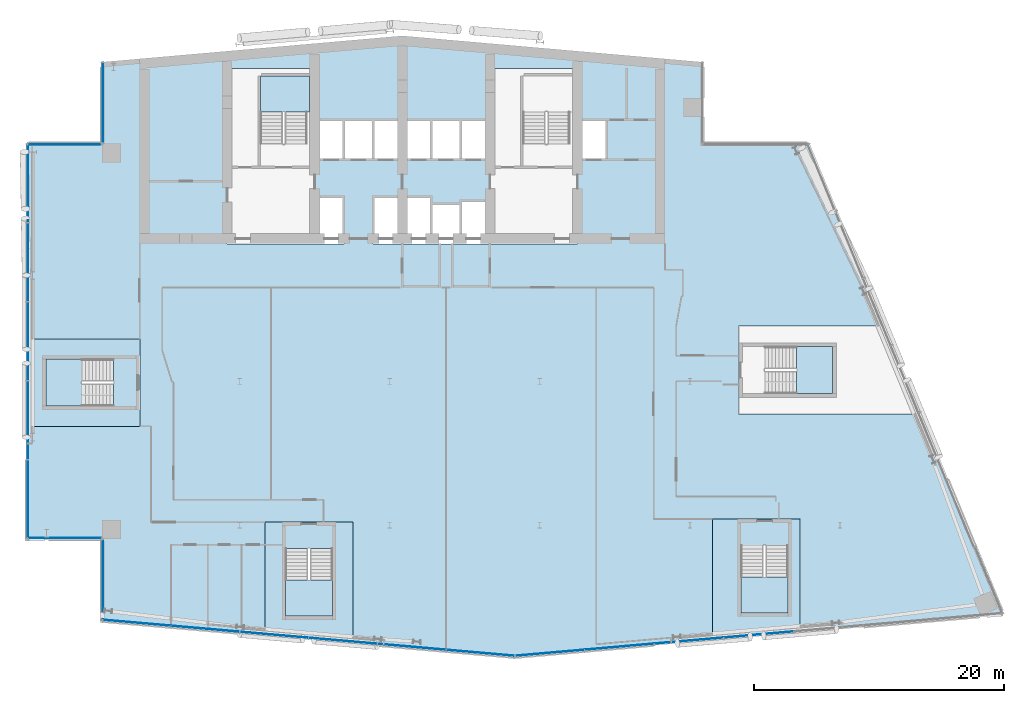
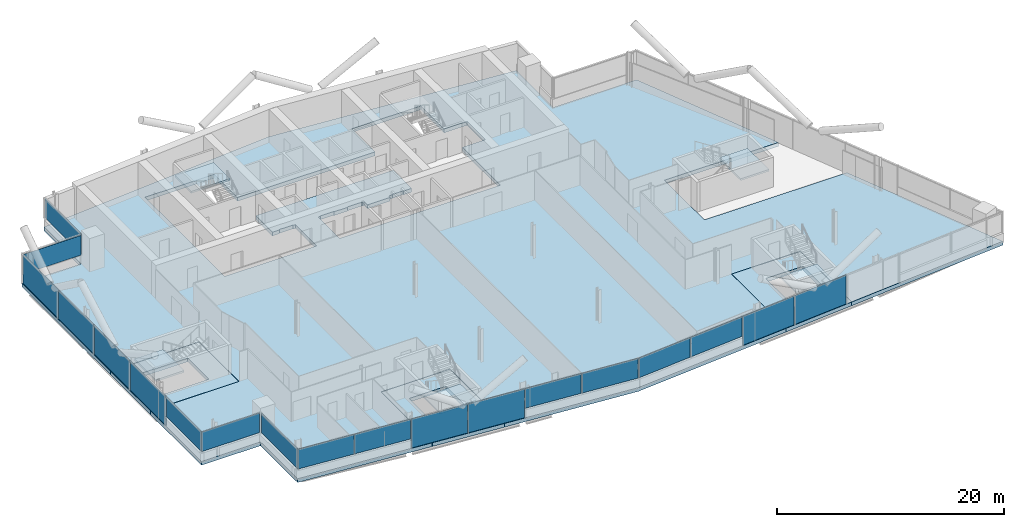
# One storey, part 12 of 26: 19 plates, 9 slabs, 12 elements without a shape of their own.
"""IFC4 building model written with IfcOpenShell, lengths in metres."""

from ifc_helpers import new_model, si_unit, direction, frame, origin, origin_2d, place, context, subcontext, project, spatial, polyline, rectangle, outline, extrude, material, layer, layer_set, type_object, element, aggregate, save


model = new_model("IFC4")

# Units and contexts
model_context = context("Model", 3, precision=1e-05, world=origin(), true_north=direction((0.0, 1.0)))
body_context = subcontext(model_context, "Body", "Model", "MODEL_VIEW")
ifc_project = project(units=[si_unit("LENGTHUNIT", "METRE"), si_unit("AREAUNIT", "SQUARE_METRE"), si_unit("VOLUMEUNIT", "CUBIC_METRE"), si_unit("PLANEANGLEUNIT", "RADIAN"), si_unit("MASSUNIT", "GRAM", prefix="KILO")], contexts=[model_context])

# Site, building, storey
site_placement = place(None, origin())
site = spatial("IfcSite", under=ifc_project, at=site_placement, CompositionType="ELEMENT")
building_placement = place(site_placement, origin())
building = spatial("IfcBuilding", under=site, at=building_placement, Name="Wharfspan Tower", CompositionType="ELEMENT")
storey_placement = place(building_placement, frame((0.0, 0.0, 180.699951)))
storey = spatial("IfcBuildingStorey", under=building, at=storey_placement, Name="L44", CompositionType="ELEMENT", Elevation=180.699951)

# Curtain wall, plates
ifc_material_1 = material(Name="Aluminium 6063-T6", Category="aluminium")
curtain_wall_type_1 = type_object("IfcCurtainWallType", Name="CURTAIN WALL FACETED FRONT", PredefinedType="NOTDEFINED", material=ifc_material_1)
curtain_wall_1_placement = place(storey_placement, origin())
curtain_wall_1 = element("IfcCurtainWall", 1, at=curtain_wall_1_placement, inside=storey, type_object=curtain_wall_type_1, Name="Curtain wall S1", PredefinedType="NOTDEFINED")
ifc_material_2 = material(Name="Glass clear low-iron double glazing", Category="glass")
ifc_layer_1 = layer(ifc_material_2, 0.040039)
ifc_layer_set_1 = layer_set([ifc_layer_1], Name="Glass clear low-iron double glazing")
plate_type_1 = type_object("IfcPlateType", Name="GLASS PANEL FACETED FRONT 40", PredefinedType="CURTAIN_PANEL", material=ifc_layer_set_1)
plate_1_placement = place(storey_placement, frame((15.770264, 3.692871, 1.0), z_axis=(0.0, 0.0, 1.0), x_axis=(0.996198, -0.087156, 0.0)))
plate_1 = element("IfcPlate", 2, at=plate_1_placement, type_object=plate_type_1, Name="Curtain wall S1 panel 1", PredefinedType="CURTAIN_PANEL", context=body_context, shape_type="SweptSolid", body=[
    extrude(rectangle(XDim=5.430908, YDim=0.040039, at=origin_2d()), origin(), (0.0, 0.0, 1.0), 2.120117),
])
plate_2_placement = place(storey_placement, frame((21.255127, 3.213135, 1.0), z_axis=(0.0, 0.0, 1.0), x_axis=(0.996198, -0.087156, 0.0)))
plate_2 = element("IfcPlate", 3, at=plate_2_placement, type_object=plate_type_1, Name="Curtain wall S1 panel 2", PredefinedType="CURTAIN_PANEL", context=body_context, shape_type="SweptSolid", body=[
    extrude(rectangle(XDim=5.460938, YDim=0.040039, at=origin_2d()), origin(), (0.0, 0.0, 1.0), 2.120117),
])
plate_3_placement = place(storey_placement, frame((37.755127, 1.769531, 1.0), z_axis=(0.0, 0.0, 1.0), x_axis=(0.996198, -0.087156, 0.0)))
plate_3 = element("IfcPlate", 4, at=plate_3_placement, type_object=plate_type_1, Name="Curtain wall S1 panel 5", PredefinedType="CURTAIN_PANEL", context=body_context, shape_type="SweptSolid", body=[
    extrude(rectangle(XDim=5.460938, YDim=0.040039, at=origin_2d()), origin(), (0.0, 0.0, 1.0), 2.120117),
])
plate_4_placement = place(storey_placement, frame((43.240234, 1.289551, 1.0), z_axis=(0.0, 0.0, 1.0), x_axis=(0.996198, -0.087156, 0.0)))
plate_4 = element("IfcPlate", 5, at=plate_4_placement, type_object=plate_type_1, Name="Curtain wall S1 panel 6", PredefinedType="CURTAIN_PANEL", context=body_context, shape_type="SweptSolid", body=[
    extrude(rectangle(XDim=5.430908, YDim=0.040039, at=origin_2d()), origin(), (0.0, 0.0, 1.0), 2.120117),
])

curtain_wall_2_placement = place(storey_placement, origin())
curtain_wall_2 = element("IfcCurtainWall", 6, at=curtain_wall_2_placement, inside=storey, type_object=curtain_wall_type_1, Name="Curtain wall S2", PredefinedType="NOTDEFINED")
plate_5_placement = place(storey_placement, frame((48.79541, 1.292725, 1.0), z_axis=(0.0, 0.0, 1.0), x_axis=(0.996198, 0.087156, 0.0)))
plate_5 = element("IfcPlate", 7, at=plate_5_placement, type_object=plate_type_1, Name="Curtain wall S2 panel 1", PredefinedType="CURTAIN_PANEL", context=body_context, shape_type="SweptSolid", body=[
    extrude(rectangle(XDim=5.502686, YDim=0.040039, at=origin_2d()), origin(), (0.0, 0.0, 1.0), 2.120117),
])
plate_6_placement = place(storey_placement, frame((54.351807, 1.778809, 1.0), z_axis=(0.0, 0.0, 1.0), x_axis=(0.996198, 0.087156, 0.0)))
plate_6 = element("IfcPlate", 8, at=plate_6_placement, type_object=plate_type_1, Name="Curtain wall S2 panel 2", PredefinedType="CURTAIN_PANEL", context=body_context, shape_type="SweptSolid", body=[
    extrude(rectangle(XDim=5.532715, YDim=0.040039, at=origin_2d()), origin(), (0.0, 0.0, 1.0), 2.120117),
])

# Curtain wall, plate
curtain_wall_type_2 = type_object("IfcCurtainWallType", Name="CURTAIN WALL PROW AND END", PredefinedType="NOTDEFINED", material=ifc_material_1)
curtain_wall_3_placement = place(storey_placement, origin())
curtain_wall_3 = element("IfcCurtainWall", 9, at=curtain_wall_3_placement, inside=storey, type_object=curtain_wall_type_2, Name="Curtain wall NRW-V", PredefinedType="NOTDEFINED")
ifc_layer_2 = layer(ifc_material_2, 0.040039)
ifc_layer_set_2 = layer_set([ifc_layer_2], Name="Glass clear low-iron double glazing")
plate_type_2 = type_object("IfcPlateType", Name="GLASS PANEL PROW AND END 40", PredefinedType="CURTAIN_PANEL", material=ifc_layer_set_2)
plate_7_placement = place(storey_placement, frame((13.080078, 45.262451, 1.0), z_axis=(0.0, 0.0, 1.0), x_axis=(0.0, -1.0, 0.0)))
plate_7 = element("IfcPlate", 10, at=plate_7_placement, type_object=plate_type_2, Name="Curtain wall NRW-V panel 1", PredefinedType="CURTAIN_PANEL", context=body_context, shape_type="SweptSolid", body=[
    extrude(rectangle(XDim=6.405029, YDim=0.040039, at=origin_2d()), origin(), (0.0, 0.0, 1.0), 2.120117),
])
aggregate(curtain_wall_3, [plate_7])

curtain_wall_4_placement = place(storey_placement, origin())
curtain_wall_4 = element("IfcCurtainWall", 11, at=curtain_wall_4_placement, inside=storey, type_object=curtain_wall_type_2, Name="Curtain wall NRW-H", PredefinedType="NOTDEFINED")
plate_8_placement = place(storey_placement, frame((10.0, 41.919922, 1.0), z_axis=(0.0, 0.0, 1.0), x_axis=(-1.0, 0.0, 0.0)))
plate_8 = element("IfcPlate", 12, at=plate_8_placement, type_object=plate_type_2, Name="Curtain wall NRW-H panel 1", PredefinedType="CURTAIN_PANEL", context=body_context, shape_type="SweptSolid", body=[
    extrude(rectangle(XDim=5.879883, YDim=0.040039, at=origin_2d()), origin(), (0.0, 0.0, 1.0), 2.120117),
])
aggregate(curtain_wall_4, [plate_8])

curtain_wall_5_placement = place(storey_placement, origin())
curtain_wall_5 = element("IfcCurtainWall", 13, at=curtain_wall_5_placement, inside=storey, type_object=curtain_wall_type_2, Name="Curtain wall W", PredefinedType="NOTDEFINED")
plate_9_placement = place(storey_placement, frame((7.080078, 13.574951, 1.0), z_axis=(0.0, 0.0, 1.0), x_axis=(0.0, -1.0, 0.0)))
plate_9 = element("IfcPlate", 14, at=plate_9_placement, type_object=plate_type_2, Name="Curtain wall W panel 5", PredefinedType="CURTAIN_PANEL", context=body_context, shape_type="SweptSolid", body=[
    extrude(rectangle(XDim=6.22998, YDim=0.040039, at=origin_2d()), origin(), (0.0, 0.0, 1.0), 2.120117),
])

curtain_wall_6_placement = place(storey_placement, origin())
curtain_wall_6 = element("IfcCurtainWall", 15, at=curtain_wall_6_placement, inside=storey, type_object=curtain_wall_type_2, Name="Curtain wall NFW-H", PredefinedType="NOTDEFINED")
plate_10_placement = place(storey_placement, frame((10.0, 10.47998, 1.0), z_axis=(0.0, 0.0, 1.0), x_axis=(1.0, 0.0, 0.0)))
plate_10 = element("IfcPlate", 16, at=plate_10_placement, type_object=plate_type_2, Name="Curtain wall NFW-H panel 1", PredefinedType="CURTAIN_PANEL", context=body_context, shape_type="SweptSolid", body=[
    extrude(rectangle(XDim=5.879883, YDim=0.040039, at=origin_2d()), origin(), (0.0, 0.0, 1.0), 2.120117),
])
aggregate(curtain_wall_6, [plate_10])

curtain_wall_7_placement = place(storey_placement, origin())
curtain_wall_7 = element("IfcCurtainWall", 17, at=curtain_wall_7_placement, inside=storey, type_object=curtain_wall_type_2, Name="Curtain wall NFW-V", PredefinedType="NOTDEFINED")
plate_11_placement = place(storey_placement, frame((13.080078, 7.137451, 1.0), z_axis=(0.0, 0.0, 1.0), x_axis=(0.0, -1.0, 0.0)))
plate_11 = element("IfcPlate", 18, at=plate_11_placement, type_object=plate_type_2, Name="Curtain wall NFW-V panel 1", PredefinedType="CURTAIN_PANEL", context=body_context, shape_type="SweptSolid", body=[
    extrude(rectangle(XDim=6.405029, YDim=0.040039, at=origin_2d()), origin(), (0.0, 0.0, 1.0), 2.120117),
])
aggregate(curtain_wall_7, [plate_11])

# Plate
ifc_material_3 = material(Name="Aluminium composite opaque insulated panel", Category="aluminium")
ifc_layer_3 = layer(ifc_material_3, 0.040039)
ifc_layer_set_3 = layer_set([ifc_layer_3], Name="Aluminium composite opaque insulated panel")
plate_type_3 = type_object("IfcPlateType", Name="INFILL PANEL FACETED FRONT OPAQUE 40", PredefinedType="SHEET", material=ifc_layer_set_3)
plate_12_placement = place(storey_placement, frame((26.755127, 2.731934, 0.0), z_axis=(0.0, 0.0, 1.0), x_axis=(0.996198, -0.087156, 0.0)))
plate_12 = element("IfcPlate", 19, at=plate_12_placement, type_object=plate_type_3, Name="Curtain wall S1 panel 3", PredefinedType="SHEET", context=body_context, shape_type="SweptSolid", body=[
    extrude(rectangle(XDim=5.460938, YDim=0.040039, at=origin_2d()), origin(), (0.0, 0.0, 1.0), 3.120117),
])

plate_13_placement = place(storey_placement, frame((32.255127, 2.250732, 0.0), z_axis=(0.0, 0.0, 1.0), x_axis=(0.996198, -0.087156, 0.0)))
plate_13 = element("IfcPlate", 20, at=plate_13_placement, type_object=plate_type_3, Name="Curtain wall S1 panel 4", PredefinedType="SHEET", context=body_context, shape_type="SweptSolid", body=[
    extrude(rectangle(XDim=5.460938, YDim=0.040039, at=origin_2d()), origin(), (0.0, 0.0, 1.0), 3.120117),
])

aggregate(curtain_wall_1, [plate_1, plate_2, plate_12, plate_13, plate_3, plate_4])

plate_14_placement = place(storey_placement, frame((59.92334, 2.266357, 0.0), z_axis=(0.0, 0.0, 1.0), x_axis=(0.996198, 0.087156, 0.0)))
plate_14 = element("IfcPlate", 21, at=plate_14_placement, type_object=plate_type_3, Name="Curtain wall S2 panel 3", PredefinedType="SHEET", context=body_context, shape_type="SweptSolid", body=[
    extrude(rectangle(XDim=5.532715, YDim=0.040039, at=origin_2d()), origin(), (0.0, 0.0, 1.0), 3.120117),
])

plate_15_placement = place(storey_placement, frame((65.494873, 2.753662, 0.0), z_axis=(0.0, 0.0, 1.0), x_axis=(0.996198, 0.087156, 0.0)))
plate_15 = element("IfcPlate", 22, at=plate_15_placement, type_object=plate_type_3, Name="Curtain wall S2 panel 4", PredefinedType="SHEET", context=body_context, shape_type="SweptSolid", body=[
    extrude(rectangle(XDim=5.532715, YDim=0.040039, at=origin_2d()), origin(), (0.0, 0.0, 1.0), 3.120117),
])

aggregate(curtain_wall_2, [plate_5, plate_6, plate_14, plate_15])

ifc_layer_4 = layer(ifc_material_3, 0.040039)
ifc_layer_set_4 = layer_set([ifc_layer_4], Name="Aluminium composite opaque insulated panel")
plate_type_4 = type_object("IfcPlateType", Name="INFILL PANEL PROW AND END OPAQUE 40", PredefinedType="SHEET", material=ifc_layer_set_4)
plate_16_placement = place(storey_placement, frame((7.080078, 38.824951, 0.0), z_axis=(0.0, 0.0, 1.0), x_axis=(0.0, -1.0, 0.0)))
plate_16 = element("IfcPlate", 23, at=plate_16_placement, type_object=plate_type_4, Name="Curtain wall W panel 1", PredefinedType="SHEET", context=body_context, shape_type="SweptSolid", body=[
    extrude(rectangle(XDim=6.22998, YDim=0.040039, at=origin_2d()), origin(), (0.0, 0.0, 1.0), 3.120117),
])

plate_17_placement = place(storey_placement, frame((7.080078, 32.52002, 0.0), z_axis=(0.0, 0.0, 1.0), x_axis=(0.0, -1.0, 0.0)))
plate_17 = element("IfcPlate", 24, at=plate_17_placement, type_object=plate_type_4, Name="Curtain wall W panel 2", PredefinedType="SHEET", context=body_context, shape_type="SweptSolid", body=[
    extrude(rectangle(XDim=6.26001, YDim=0.040039, at=origin_2d()), origin(), (0.0, 0.0, 1.0), 3.120117),
])

plate_18_placement = place(storey_placement, frame((7.080078, 26.199951, 0.0), z_axis=(0.0, 0.0, 1.0), x_axis=(0.0, -1.0, 0.0)))
plate_18 = element("IfcPlate", 25, at=plate_18_placement, type_object=plate_type_4, Name="Curtain wall W panel 3", PredefinedType="SHEET", context=body_context, shape_type="SweptSolid", body=[
    extrude(rectangle(XDim=6.26001, YDim=0.040039, at=origin_2d()), origin(), (0.0, 0.0, 1.0), 3.120117),
])

plate_19_placement = place(storey_placement, frame((7.080078, 19.879883, 0.0), z_axis=(0.0, 0.0, 1.0), x_axis=(0.0, -1.0, 0.0)))
plate_19 = element("IfcPlate", 26, at=plate_19_placement, type_object=plate_type_4, Name="Curtain wall W panel 4", PredefinedType="SHEET", context=body_context, shape_type="SweptSolid", body=[
    extrude(rectangle(XDim=6.26001, YDim=0.040039, at=origin_2d()), origin(), (0.0, 0.0, 1.0), 3.120117),
])

aggregate(curtain_wall_5, [plate_16, plate_17, plate_18, plate_19, plate_9])

# Slabs
ifc_material_4 = material(Name="Concrete C40/50", Category="concrete")
ifc_layer_5 = layer(ifc_material_4, 0.399902)
ifc_layer_set_5 = layer_set([ifc_layer_5], Name="Concrete C40/50")
slab_type_1 = type_object("IfcSlabType", Name="Post-tensioned flat slab 400", PredefinedType="FLOOR", material=ifc_layer_set_5)
slab_1_placement = place(storey_placement, frame((0.0, 0.0, -0.400146)))
element("IfcSlab", 27, at=slab_1_placement, inside=storey, type_object=slab_type_1, Name="Floor slab L44", PredefinedType="FLOOR", context=body_context, shape_type="SweptSolid", body=[
    extrude(outline(polyline([(26.029297, 2.735107), (26.029297, 11.744385), (33.049316, 11.744385), (33.049316, 2.121094), (46.0, 0.987793), (61.801514, 2.370361), (61.801514, 11.993652), (68.821289, 11.993652), (68.821289, 2.984619), (85.0, 4.399902), (78.398682, 20.389893), (63.894531, 20.389893), (63.894531, 27.409912), (75.500488, 27.409912), (69.477051, 42.0), (61.0, 42.0), (61.0, 48.524902), (37.0, 50.624756), (13.0, 48.524902), (13.0, 42.0), (7.0, 42.0), (7.0, 26.409912), (16.01001, 26.409912), (16.01001, 19.389893), (7.0, 19.389893), (7.0, 10.399902), (13.0, 10.399902), (13.0, 3.875), (26.029297, 2.735107)]), holes=[polyline([(32.126709, 37.76001), (32.343262, 37.76001), (32.343262, 33.98999), (22.98999, 33.98999), (22.98999, 48.01001), (30.01001, 48.01001), (30.01001, 43.909912), (43.98999, 43.909912), (43.98999, 48.01001), (51.01001, 48.01001), (51.01001, 43.909912), (53.343262, 43.909912), (53.343262, 40.689941), (51.01001, 40.689941), (51.01001, 33.98999), (34.656738, 33.98999), (34.656738, 37.76001), (34.873291, 37.76001), (34.873291, 37.810059), (36.293213, 37.810059), (36.293213, 37.76001), (37.666748, 37.76001), (37.666748, 37.810059), (39.166748, 37.810059), (39.166748, 37.76001), (39.343262, 37.76001), (39.343262, 37.209961), (41.656738, 37.209961), (41.656738, 37.459961), (42.023193, 37.459961), (42.023193, 37.51001), (43.143311, 37.51001), (43.143311, 37.459961), (43.98999, 37.459961), (43.98999, 40.689941), (30.01001, 40.689941), (30.01001, 37.76001), (30.706787, 37.76001), (30.706787, 37.810059), (32.126709, 37.810059), (32.126709, 37.76001)])]), origin(), (0.0, 0.0, 1.0), 0.400146),
])
slab_2_placement = place(storey_placement, frame((0.0, 0.0, -0.400146)))
element("IfcSlab", 28, at=slab_2_placement, inside=storey, type_object=slab_type_1, Name="Core floor slab L44 part 1", PredefinedType="FLOOR", context=body_context, shape_type="SweptSolid", body=[
    extrude(outline(polyline([(16.0, 20.725098), (16.0, 25.074951), (16.0, 26.399902), (7.0, 26.399902), (7.0, 19.399902), (16.0, 19.399902), (16.0, 20.725098)]), holes=[polyline([(13.899902, 24.7771), (13.900146, 24.7771), (13.900391, 24.7771), (13.900635, 24.776855), (13.900879, 24.776855), (13.900879, 24.776855), (13.901123, 24.776611), (13.901367, 24.776611), (13.901367, 24.776367), (13.901611, 24.776367), (13.901611, 24.776123), (13.901855, 24.775879), (13.901855, 24.775879), (13.901855, 24.775635), (13.9021, 24.775391), (13.9021, 24.775146), (13.9021, 24.774902), (13.9021, 21.024902), (13.9021, 21.024902), (13.9021, 21.024658), (13.901855, 21.024414), (13.901855, 21.02417), (13.901855, 21.02417), (13.901611, 21.023926), (13.901611, 21.023682), (13.901367, 21.023682), (13.901367, 21.023438), (13.901123, 21.023193), (13.900879, 21.023193), (13.900879, 21.023193), (13.900635, 21.023193), (13.900391, 21.022949), (13.900146, 21.022949), (13.899902, 21.022949), (8.5, 21.022949), (8.499756, 21.022949), (8.499512, 21.022949), (8.499512, 21.023193), (8.499268, 21.023193), (8.499023, 21.023193), (8.498779, 21.023193), (8.498779, 21.023438), (8.498535, 21.023682), (8.498535, 21.023682), (8.498291, 21.023926), (8.498291, 21.02417), (8.498291, 21.02417), (8.498047, 21.024414), (8.498047, 21.024658), (8.498047, 21.024902), (8.498047, 21.024902), (8.498047, 24.774902), (8.498047, 24.775146), (8.498047, 24.775391), (8.498047, 24.775635), (8.498291, 24.775879), (8.498291, 24.775879), (8.498291, 24.776123), (8.498535, 24.776367), (8.498535, 24.776367), (8.498779, 24.776611), (8.498779, 24.776611), (8.499023, 24.776855), (8.499268, 24.776855), (8.499512, 24.776855), (8.499512, 24.7771), (8.499756, 24.7771), (8.5, 24.7771), (13.899902, 24.7771)])]), origin(), (0.0, 0.0, 1.0), 0.400146),
])
slab_3_placement = place(storey_placement, frame((0.0, 0.0, -0.400146)))
element("IfcSlab", 29, at=slab_3_placement, inside=storey, type_object=slab_type_1, Name="Core floor slab L44 part 2", PredefinedType="FLOOR", context=body_context, shape_type="SweptSolid", body=[
    extrude(outline(polyline([(31.714111, 11.734375), (27.364258, 11.734375), (26.039307, 11.734375), (26.039307, 2.734375), (33.039307, 2.121826), (33.039307, 11.734375), (31.714111, 11.734375)]), holes=[polyline([(27.662109, 9.634277), (27.662109, 9.634521), (27.662354, 9.634766), (27.662354, 9.63501), (27.662354, 9.63501), (27.662598, 9.635254), (27.662598, 9.635498), (27.662598, 9.635498), (27.662842, 9.635742), (27.663086, 9.635742), (27.663086, 9.635986), (27.66333, 9.635986), (27.663574, 9.635986), (27.663574, 9.63623), (27.663818, 9.63623), (27.664062, 9.63623), (27.664307, 9.63623), (31.414307, 9.63623), (31.414307, 9.63623), (31.414551, 9.63623), (31.414795, 9.63623), (31.415039, 9.635986), (31.415283, 9.635986), (31.415283, 9.635986), (31.415527, 9.635742), (31.415527, 9.635742), (31.415771, 9.635498), (31.416016, 9.635498), (31.416016, 9.635254), (31.416016, 9.63501), (31.416016, 9.63501), (31.41626, 9.634766), (31.41626, 9.634521), (31.41626, 9.634277), (31.41626, 4.234375), (31.41626, 4.234131), (31.41626, 4.233887), (31.416016, 4.233643), (31.416016, 4.233398), (31.416016, 4.233398), (31.416016, 4.233154), (31.415771, 4.23291), (31.415527, 4.23291), (31.415527, 4.232666), (31.415283, 4.232666), (31.415283, 4.232422), (31.415039, 4.232422), (31.414795, 4.232422), (31.414551, 4.232422), (31.414307, 4.232422), (31.414307, 4.232422), (27.664307, 4.232422), (27.664062, 4.232422), (27.663818, 4.232422), (27.663574, 4.232422), (27.663574, 4.232422), (27.66333, 4.232422), (27.663086, 4.232666), (27.663086, 4.232666), (27.662842, 4.23291), (27.662598, 4.23291), (27.662598, 4.233154), (27.662598, 4.233398), (27.662354, 4.233398), (27.662354, 4.233643), (27.662354, 4.233887), (27.662109, 4.234131), (27.662109, 4.234375), (27.662109, 9.634277)])]), origin(), (0.0, 0.0, 1.0), 0.400146),
])
slab_4_placement = place(storey_placement, frame((0.0, 0.0, -0.400146)))
element("IfcSlab", 30, at=slab_4_placement, inside=storey, type_object=slab_type_1, Name="Core floor slab L44 part 4", PredefinedType="FLOOR", context=body_context, shape_type="SweptSolid", body=[
    extrude(outline(polyline([(68.811279, 11.983643), (68.136475, 11.983643), (63.786377, 11.983643), (61.811279, 11.983643), (61.811279, 2.371338), (68.811279, 2.983643), (68.811279, 11.983643)]), holes=[polyline([(64.084473, 9.883789), (64.084473, 9.883789), (64.084473, 9.884033), (64.084473, 9.884277), (64.084473, 9.884521), (64.084717, 9.884521), (64.084717, 9.884766), (64.084717, 9.88501), (64.084961, 9.88501), (64.085205, 9.885254), (64.085205, 9.885254), (64.085449, 9.885498), (64.085693, 9.885498), (64.085693, 9.885498), (64.085938, 9.885498), (64.086182, 9.885742), (64.086426, 9.885742), (67.836426, 9.885742), (67.836426, 9.885742), (67.83667, 9.885498), (67.836914, 9.885498), (67.837158, 9.885498), (67.837402, 9.885498), (67.837402, 9.885254), (67.837646, 9.885254), (67.837891, 9.88501), (67.837891, 9.88501), (67.837891, 9.884766), (67.838135, 9.884521), (67.838135, 9.884521), (67.838379, 9.884277), (67.838379, 9.884033), (67.838379, 9.883789), (67.838379, 9.883789), (67.838379, 4.483643), (67.838379, 4.483398), (67.838379, 4.483398), (67.838379, 4.483154), (67.838135, 4.48291), (67.838135, 4.482666), (67.837891, 4.482666), (67.837891, 4.482422), (67.837891, 4.482422), (67.837646, 4.482178), (67.837402, 4.481934), (67.837402, 4.481934), (67.837158, 4.481689), (67.836914, 4.481689), (67.83667, 4.481689), (67.836426, 4.481689), (67.836426, 4.481689), (64.086426, 4.481689), (64.086182, 4.481689), (64.085938, 4.481689), (64.085693, 4.481689), (64.085693, 4.481689), (64.085449, 4.481934), (64.085205, 4.481934), (64.085205, 4.482178), (64.084961, 4.482422), (64.084717, 4.482422), (64.084717, 4.482666), (64.084717, 4.482666), (64.084473, 4.48291), (64.084473, 4.483154), (64.084473, 4.483398), (64.084473, 4.483398), (64.084473, 4.483643), (64.084473, 9.883789)])]), origin(), (0.0, 0.0, 1.0), 0.400146),
])

# Stair, slab
stair_type = type_object("IfcStairType", Name="Half-turn stair 20 risers 180 mm", PredefinedType="HALF_TURN_STAIR", material=ifc_material_4)
stair_1_placement = place(storey_placement, origin())
stair_1 = element("IfcStair", 31, at=stair_1_placement, inside=storey, type_object=stair_type, Name="L44 stair ST1", PredefinedType="HALF_TURN_STAIR")
ifc_layer_6 = layer(ifc_material_4, 0.199951)
ifc_layer_set_6 = layer_set([ifc_layer_6], Name="Concrete C40/50")
slab_type_2 = type_object("IfcSlabType", Name="Stair landing 200", PredefinedType="LANDING", material=ifc_layer_set_6)
slab_5_placement = place(storey_placement, frame((0.0, 0.0, 1.599854)))
slab_5 = element("IfcSlab", 32, at=slab_5_placement, type_object=slab_type_2, Name="ST1 landing 1", PredefinedType="LANDING", context=body_context, shape_type="SweptSolid", body=[
    extrude(outline(polyline([(25.649902, 44.52002), (29.600098, 44.52002), (29.600098, 47.399902), (25.649902, 47.399902), (25.649902, 44.52002)])), origin(), (0.0, 0.0, 1.0), 0.200195),
])
aggregate(stair_1, [slab_5])

stair_2_placement = place(storey_placement, origin())
stair_2 = element("IfcStair", 33, at=stair_2_placement, inside=storey, type_object=stair_type, Name="L44 stair ST3", PredefinedType="HALF_TURN_STAIR")
slab_6_placement = place(storey_placement, frame((0.0, 0.0, 1.599854)))
slab_6 = element("IfcSlab", 34, at=slab_6_placement, type_object=slab_type_2, Name="ST3 landing 1", PredefinedType="LANDING", context=body_context, shape_type="SweptSolid", body=[
    extrude(outline(polyline([(11.379883, 24.774902), (8.5, 24.774902), (8.5, 21.024902), (11.379883, 21.024902), (11.379883, 24.774902)])), origin(), (0.0, 0.0, 1.0), 0.200195),
])
aggregate(stair_2, [slab_6])

stair_3_placement = place(storey_placement, origin())
stair_3 = element("IfcStair", 35, at=stair_3_placement, inside=storey, type_object=stair_type, Name="L44 stair ST4", PredefinedType="HALF_TURN_STAIR")
slab_7_placement = place(storey_placement, frame((0.0, 0.0, 1.599854)))
slab_7 = element("IfcSlab", 36, at=slab_7_placement, type_object=slab_type_2, Name="ST4 landing 1", PredefinedType="LANDING", context=body_context, shape_type="SweptSolid", body=[
    extrude(outline(polyline([(27.664307, 7.114258), (27.664307, 4.234375), (31.414307, 4.234375), (31.414307, 7.114258), (27.664307, 7.114258)])), origin(), (0.0, 0.0, 1.0), 0.200195),
])
aggregate(stair_3, [slab_7])

stair_4_placement = place(storey_placement, origin())
stair_4 = element("IfcStair", 37, at=stair_4_placement, inside=storey, type_object=stair_type, Name="L44 stair ST5", PredefinedType="HALF_TURN_STAIR")
slab_8_placement = place(storey_placement, frame((0.0, 0.0, 1.599854)))
slab_8 = element("IfcSlab", 38, at=slab_8_placement, type_object=slab_type_2, Name="ST5 landing 1", PredefinedType="LANDING", context=body_context, shape_type="SweptSolid", body=[
    extrude(outline(polyline([(64.086426, 7.36377), (64.086426, 4.483643), (67.836426, 4.483643), (67.836426, 7.36377), (64.086426, 7.36377)])), origin(), (0.0, 0.0, 1.0), 0.200195),
])
aggregate(stair_4, [slab_8])

stair_5_placement = place(storey_placement, origin())
stair_5 = element("IfcStair", 39, at=stair_5_placement, inside=storey, type_object=stair_type, Name="L44 stair ST6", PredefinedType="HALF_TURN_STAIR")
slab_9_placement = place(storey_placement, frame((0.0, 0.0, 1.599854)))
slab_9 = element("IfcSlab", 40, at=slab_9_placement, type_object=slab_type_2, Name="ST6 landing 1", PredefinedType="LANDING", context=body_context, shape_type="SweptSolid", body=[
    extrude(outline(polyline([(68.524658, 22.024902), (71.404541, 22.024902), (71.404541, 25.774902), (68.524658, 25.774902), (68.524658, 22.024902)])), origin(), (0.0, 0.0, 1.0), 0.200195),
])
aggregate(stair_5, [slab_9])

save(model, "model.ifc")
